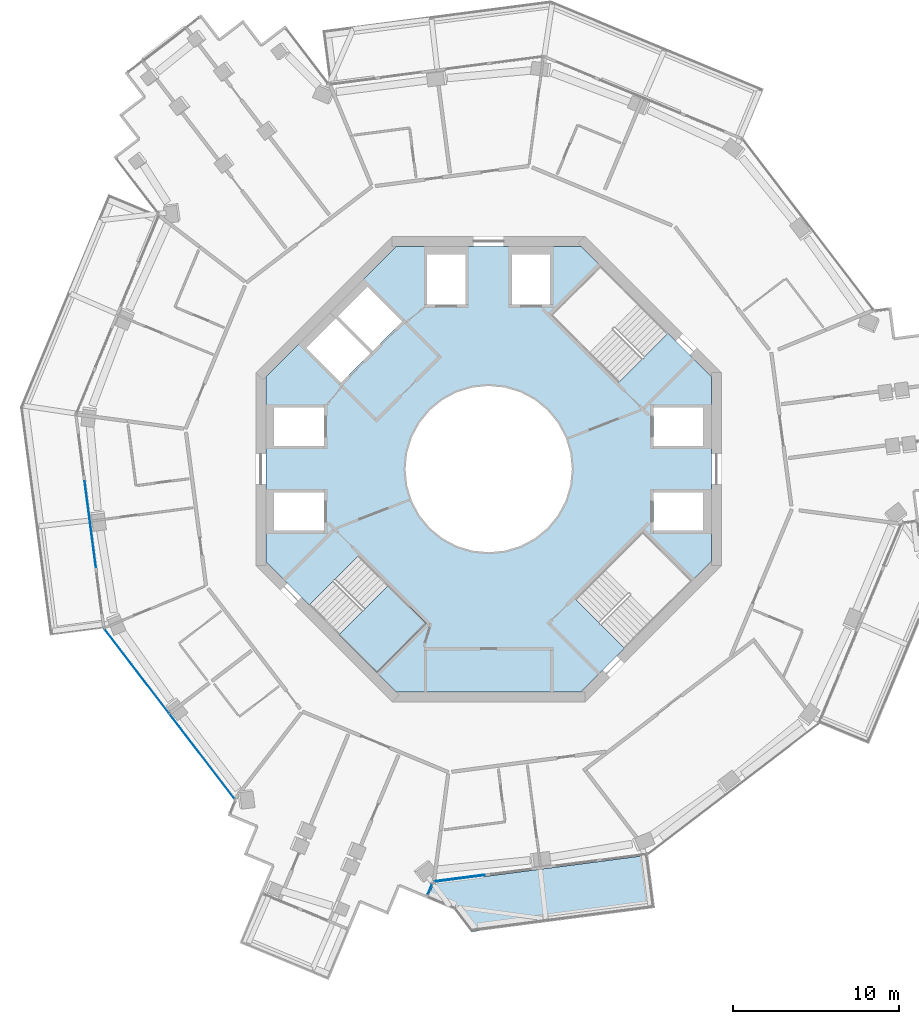
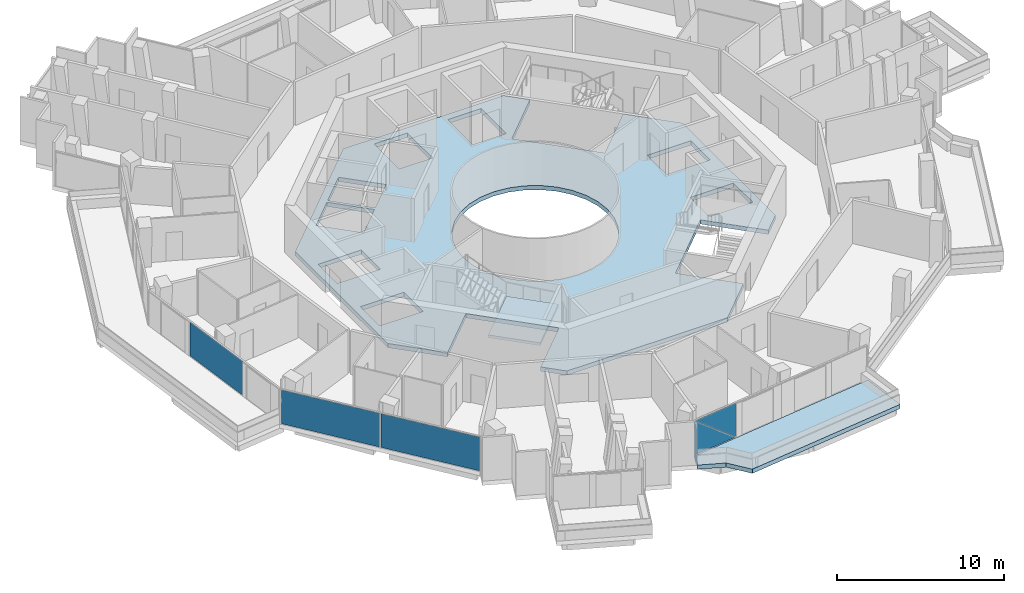
# One storey, part 12 of 25: 6 plates, 3 slabs, 5 elements without a shape of their own.
"""IFC4 building model written with IfcOpenShell, lengths in metres."""

from ifc_helpers import new_model, si_unit, direction, frame, origin, origin_2d, place, context, subcontext, project, spatial, polyline, rectangle, outline, extrude, material, layer, layer_set, type_object, element, aggregate, save


model = new_model("IFC4")

# Units and contexts
model_context = context("Model", 3, precision=1e-05, world=origin(), true_north=direction((0.0, 1.0)))
body_context = subcontext(model_context, "Body", "Model", "MODEL_VIEW")
ifc_project = project(units=[si_unit("LENGTHUNIT", "METRE"), si_unit("AREAUNIT", "SQUARE_METRE"), si_unit("VOLUMEUNIT", "CUBIC_METRE"), si_unit("PLANEANGLEUNIT", "RADIAN"), si_unit("MASSUNIT", "GRAM", prefix="KILO")], contexts=[model_context])

# Site, building, storey
site_placement = place(None, origin())
site = spatial("IfcSite", under=ifc_project, at=site_placement, CompositionType="ELEMENT")
building_placement = place(site_placement, origin())
building = spatial("IfcBuilding", under=site, at=building_placement, Name="Verdalira Terraces Hotel", CompositionType="ELEMENT")
storey_placement = place(building_placement, frame((0.0, 0.0, 187.0)))
storey = spatial("IfcBuildingStorey", under=building, at=storey_placement, Name="L45", CompositionType="ELEMENT", Elevation=187.0)

# Slab
ifc_material_1 = material(Name="Precast concrete C40/50", Category="concrete")
ifc_layer_1 = layer(ifc_material_1, 0.31005859375)
ifc_layer_set_1 = layer_set([ifc_layer_1], Name="Balcony deck 310")
slab_type_1 = type_object("IfcSlabType", Name="Balcony deck 310", PredefinedType="FLOOR", material=ifc_layer_set_1)
slab_1_placement = place(storey_placement, frame((0.0, 0.0, -0.310059)))
element("IfcSlab", 1, at=slab_1_placement, inside=storey, type_object=slab_type_1, Name="Balcony deck", PredefinedType="FLOOR", context=body_context, shape_type="SweptSolid", body=[
    extrude(outline(polyline([(10.000732, -26.385498), (9.586426, -23.212402), (-3.304199, -24.895752), (-3.687744, -25.819336), (-2.088135, -26.483643), (-1.057861, -27.82959), (10.000732, -26.385498)])), origin(), (0.0, 0.0, 1.0), 0.310059),
])

# Curtain wall, plate
ifc_material_2 = material(Name="Clear glass", Category="glass")
ifc_layer_2 = layer(ifc_material_2, 0.14990234375)
ifc_layer_set_2 = layer_set([ifc_layer_2], Name="CW1 curtain wall")
curtain_wall_type_1 = type_object("IfcCurtainWallType", Name="CW1 curtain wall", PredefinedType="NOTDEFINED", material=ifc_layer_set_2)
curtain_wall_1_placement = place(storey_placement, origin())
curtain_wall_1 = element("IfcCurtainWall", 2, at=curtain_wall_1_placement, inside=storey, type_object=curtain_wall_type_1, Name="CW1 curtain wall L45 edge 12", PredefinedType="NOTDEFINED")
ifc_material_3 = material(Name="Clear glass", Category="glass")
ifc_layer_3 = layer(ifc_material_3, 0.028076171875)
ifc_layer_set_3 = layer_set([ifc_layer_3], Name="CW1 glass unit 28")
plate_type_1 = type_object("IfcPlateType", Name="CW1 glass unit 28", PredefinedType="CURTAIN_PANEL", material=ifc_layer_set_3)
plate_1_placement = place(storey_placement, frame((-23.956543, -3.309326, 0.0), z_axis=(0.0, 0.0, 1.0), x_axis=(0.129487882, -0.991581004, 0.0)))
plate_1 = element("IfcPlate", 3, at=plate_1_placement, type_object=plate_type_1, Name="CW1 glass unit", PredefinedType="CURTAIN_PANEL", context=body_context, shape_type="SweptSolid", body=[
    extrude(rectangle(XDim=5.223633, YDim=0.028076, at=origin_2d()), origin(), (0.0, 0.0, 1.0), 2.475098),
])
aggregate(curtain_wall_1, [plate_1])

# Curtain wall, plates
curtain_wall_2_placement = place(storey_placement, origin())
curtain_wall_2 = element("IfcCurtainWall", 4, at=curtain_wall_2_placement, inside=storey, type_object=curtain_wall_type_1, Name="CW1 curtain wall L45 edge 13", PredefinedType="NOTDEFINED")
plate_2_placement = place(storey_placement, frame((-21.155762, -12.14917, 0.0), z_axis=(0.0, 0.0, 1.0), x_axis=(0.607930298, -0.793990399, 0.0)))
plate_2 = element("IfcPlate", 5, at=plate_2_placement, type_object=plate_type_1, Name="CW1 glass unit", PredefinedType="CURTAIN_PANEL", context=body_context, shape_type="SweptSolid", body=[
    extrude(rectangle(XDim=6.369873, YDim=0.028076, at=origin_2d()), origin(), (0.0, 0.0, 1.0), 2.475098),
])
plate_3_placement = place(storey_placement, frame((-17.234619, -17.270264, 0.0), z_axis=(0.0, 0.0, 1.0), x_axis=(0.607930298, -0.793990399, 0.0)))
plate_3 = element("IfcPlate", 6, at=plate_3_placement, type_object=plate_type_1, Name="CW1 glass unit", PredefinedType="CURTAIN_PANEL", context=body_context, shape_type="SweptSolid", body=[
    extrude(rectangle(XDim=6.409912, YDim=0.028076, at=origin_2d()), origin(), (0.0, 0.0, 1.0), 2.475098),
])
aggregate(curtain_wall_2, [plate_2, plate_3])

curtain_wall_3_placement = place(storey_placement, origin())
curtain_wall_3 = element("IfcCurtainWall", 7, at=curtain_wall_3_placement, inside=storey, type_object=curtain_wall_type_1, Name="CW1 curtain wall L45 edge 25", PredefinedType="NOTDEFINED")
plate_4_placement = place(storey_placement, frame((-1.748779, -24.602783, 1.237549), z_axis=(0.129487882, -0.991581004, 0.0), x_axis=(0.991581004, 0.129487882, 0.0)))
plate_4 = element("IfcPlate", 8, at=plate_4_placement, type_object=plate_type_1, Name="CW1 glass unit", PredefinedType="CURTAIN_PANEL", context=body_context, shape_type="SweptSolid", body=[
    extrude(outline(polyline([(-1.52002, -1.237549), (1.52002, -1.237549), (-1.52002, 1.237549), (-1.52002, -1.237549)])), origin(), (0.0, 0.0, 1.0), 0.028076),
])
plate_5_placement = place(storey_placement, frame((-1.752686, -24.573975, 1.237549), z_axis=(0.129487882, -0.991581004, 0.0), x_axis=(0.991581004, 0.129487882, 0.0)))
plate_5 = element("IfcPlate", 9, at=plate_5_placement, type_object=plate_type_1, Name="CW1 glass unit", PredefinedType="CURTAIN_PANEL", context=body_context, shape_type="SweptSolid", body=[
    extrude(outline(polyline([(1.52002, -1.237549), (1.52002, 1.237549), (-1.52002, 1.237549), (1.52002, -1.237549)])), origin(), (0.0, 0.0, 1.0), 0.028076),
])
aggregate(curtain_wall_3, [plate_4, plate_5])

# Curtain wall, plate
ifc_material_4 = material(Name="Clear glass", Category="glass")
ifc_layer_4 = layer(ifc_material_4, 0.14990234375)
ifc_layer_set_4 = layer_set([ifc_layer_4], Name="CW2 curtain wall")
curtain_wall_type_2 = type_object("IfcCurtainWallType", Name="CW2 curtain wall", PredefinedType="NOTDEFINED", material=ifc_layer_set_4)
curtain_wall_4_placement = place(storey_placement, origin())
curtain_wall_4 = element("IfcCurtainWall", 10, at=curtain_wall_4_placement, inside=storey, type_object=curtain_wall_type_2, Name="CW2 curtain wall L45 edge 24", PredefinedType="NOTDEFINED")
ifc_material_5 = material(Name="Clear glass", Category="glass")
ifc_layer_5 = layer(ifc_material_5, 0.031982421875)
ifc_layer_set_5 = layer_set([ifc_layer_5], Name="CW2 glass unit 32")
plate_type_2 = type_object("IfcPlateType", Name="CW2 glass unit 32", PredefinedType="CURTAIN_PANEL", material=ifc_layer_set_5)
plate_6_placement = place(storey_placement, frame((-3.536377, -25.259521, 0.0), z_axis=(0.0, 0.0, 1.0), x_axis=(0.383650707, 0.923478281, 0.0)))
plate_6 = element("IfcPlate", 11, at=plate_6_placement, type_object=plate_type_2, Name="CW2 glass unit", PredefinedType="CURTAIN_PANEL", context=body_context, shape_type="SweptSolid", body=[
    extrude(rectangle(XDim=0.709961, YDim=0.031982, at=origin_2d()), origin(), (0.0, 0.0, 1.0), 2.475098),
])
aggregate(curtain_wall_4, [plate_6])

# Slab
ifc_material_6 = material(Name="Concrete C40", Category="concrete")
ifc_layer_6 = layer(ifc_material_6, 0.31005859375)
ifc_layer_set_6 = layer_set([ifc_layer_6], Name="Core floor slab 310 mm")
slab_type_2 = type_object("IfcSlabType", Name="Core floor slab 310 mm", PredefinedType="FLOOR", material=ifc_layer_set_6)
slab_2_placement = place(storey_placement, frame((0.0, 0.0, -0.310059)))
element("IfcSlab", 12, at=slab_2_placement, inside=storey, type_object=slab_type_2, Name="L45 core floor", PredefinedType="FLOOR", context=body_context, shape_type="SweptSolid", body=[
    extrude(outline(polyline([(-6.703369, -12.24707), (-3.719482, -9.263184), (-7.799072, -5.18335), (-10.782959, -8.16748), (-13.399902, -5.550537), (-13.399902, 5.550537), (-5.550537, 13.399902), (5.550537, 13.399902), (6.703369, 12.24707), (3.719482, 9.263184), (7.799072, 5.18335), (10.782959, 8.16748), (13.399902, 5.550537), (13.399902, -5.550537), (12.24707, -6.703369), (9.263184, -3.719482), (5.18335, -7.799072), (8.16748, -10.782959), (5.550537, -13.399902), (-5.550537, -13.399902), (-6.703369, -12.24707)]), holes=[polyline([(9.899902, -1.399902), (9.899902, -3.699951), (12.899902, -3.699951), (12.899902, -1.399902), (9.899902, -1.399902)]), polyline([(9.899902, 3.699951), (9.899902, 1.399902), (12.899902, 1.399902), (12.899902, 3.699951), (9.899902, 3.699951)]), polyline([(3.699951, 12.899902), (1.399902, 12.899902), (1.399902, 9.899902), (3.699951, 9.899902), (3.699951, 12.899902)]), polyline([(-1.399902, 12.899902), (-3.699951, 12.899902), (-3.699951, 9.899902), (-1.399902, 9.899902), (-1.399902, 12.899902)]), polyline([(-9.899902, 1.399902), (-9.899902, 3.699951), (-12.899902, 3.699951), (-12.899902, 1.399902), (-9.899902, 1.399902)]), polyline([(-9.899902, -3.699951), (-9.899902, -1.399902), (-12.899902, -1.399902), (-12.899902, -3.699951), (-9.899902, -3.699951)]), polyline([(-9.051025, 9.192383), (-6.965088, 7.106445), (-5.197266, 8.874268), (-7.283203, 10.960205), (-9.051025, 9.192383)]), polyline([(-9.192383, 9.051025), (-10.960205, 7.283203), (-8.874268, 5.197266), (-7.106445, 6.965088), (-9.192383, 9.051025)]), polyline([(3.5354, 3.5354), (2.777832, 4.157227), (1.91333, 4.619385), (0.975586, 4.903809), (0.0, 5.0), (-0.975586, 4.903809), (-1.91333, 4.619385), (-2.777832, 4.157227), (-3.5354, 3.5354), (-4.157227, 2.777832), (-4.619385, 1.91333), (-4.903809, 0.975586), (-5.0, 0.0), (-4.903809, -0.975586), (-4.619385, -1.91333), (-4.157227, -2.777832), (-3.5354, -3.5354), (-2.777832, -4.157227), (-1.91333, -4.619385), (-0.975586, -4.903809), (0.0, -5.0), (0.975586, -4.903809), (1.91333, -4.619385), (2.777832, -4.157227), (3.5354, -3.5354), (4.157227, -2.777832), (4.619385, -1.91333), (4.903809, -0.975586), (5.0, 0.0), (4.903809, 0.975586), (4.619385, 1.91333), (4.157227, 2.777832), (3.5354, 3.5354)])]), origin(), (0.0, 0.0, 1.0), 0.310059),
])

# Stair, slab
ifc_material_7 = material(Name="Concrete C40", Category="concrete")
stair_type = type_object("IfcStairType", Name="Core stair 20 risers 2050 mm wide", PredefinedType="HALF_TURN_STAIR", material=ifc_material_7)
stair_placement = place(storey_placement, origin())
stair = element("IfcStair", 13, at=stair_placement, inside=storey, type_object=stair_type, Name="L45 Exit stair ST2", PredefinedType="HALF_TURN_STAIR")
ifc_material_8 = material(Name="Concrete C40", Category="concrete")
ifc_layer_7 = layer(ifc_material_8, 0.199951171875)
ifc_layer_set_7 = layer_set([ifc_layer_7], Name="Core stair landing 200 mm")
slab_type_3 = type_object("IfcSlabType", Name="Core stair landing 200 mm", PredefinedType="LANDING", material=ifc_layer_set_7)
slab_3_placement = place(storey_placement, frame((0.0, 0.0, 1.550049)))
slab_3 = element("IfcSlab", 14, at=slab_3_placement, type_object=slab_type_3, Name="ST2 landing 1", PredefinedType="LANDING", context=body_context, shape_type="SweptSolid", body=[
    extrude(outline(polyline([(-9.001709, -9.94873), (-6.717529, -12.23291), (-3.747559, -9.263184), (-6.031982, -6.97876), (-9.001709, -9.94873)])), origin(), (0.0, 0.0, 1.0), 0.199951),
])
aggregate(stair, [slab_3])

save(model, "model.ifc")
